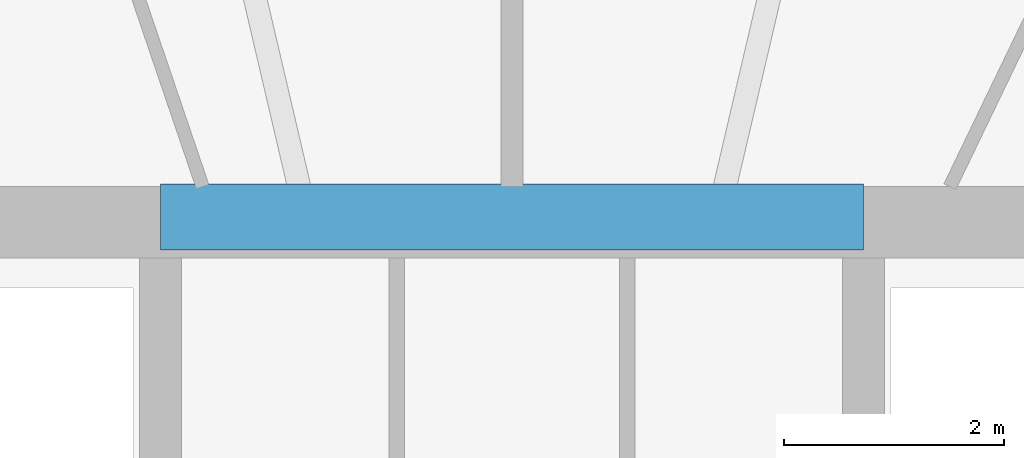
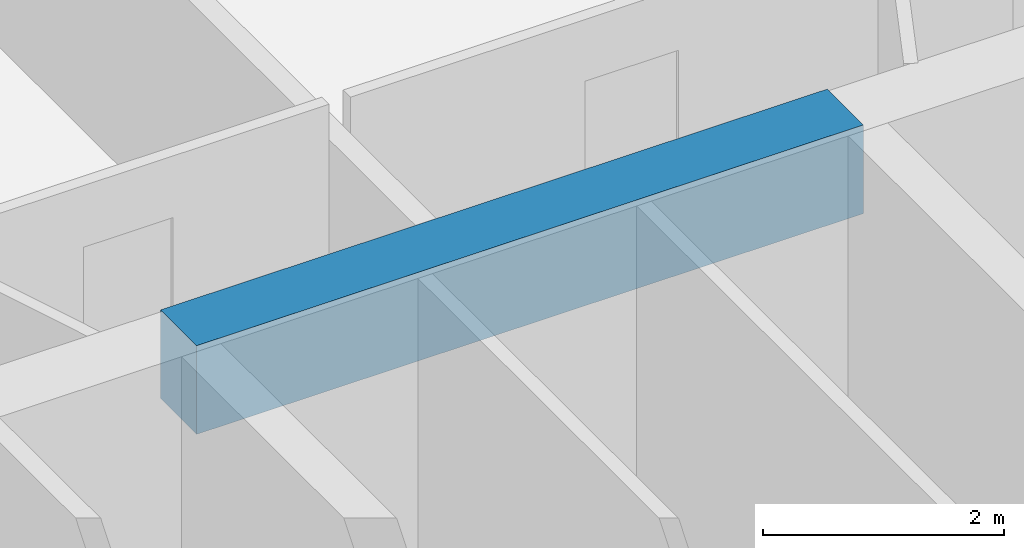
# One storey, part 8 of 27: 1 beam.
"""IFC4 building model written with IfcOpenShell, lengths in metres."""

from ifc_helpers import new_model, si_unit, direction, frame, origin, origin_2d, place, context, subcontext, project, spatial, rectangle, extrude, material, material_profile, profile_set, type_object, element, save


model = new_model("IFC4")

# Units and contexts
model_context = context("Model", 3, precision=1e-05, world=origin(), true_north=direction((-0.2419218956, 0.970295726276)))
body_context = subcontext(model_context, "Body", "Model", "MODEL_VIEW")
ifc_project = project(units=[si_unit("LENGTHUNIT", "METRE"), si_unit("AREAUNIT", "SQUARE_METRE"), si_unit("VOLUMEUNIT", "CUBIC_METRE"), si_unit("PLANEANGLEUNIT", "RADIAN"), si_unit("MASSUNIT", "GRAM", prefix="KILO")], contexts=[model_context])

# Site, building, storey
site_placement = place(None, origin())
site = spatial("IfcSite", under=ifc_project, at=site_placement, CompositionType="ELEMENT")
building_placement = place(site_placement, origin())
building = spatial("IfcBuilding", under=site, at=building_placement, Name="Cobrevalo Terracotta Tower", CompositionType="ELEMENT")
storey_placement = place(building_placement, frame((0.0, 0.0, 149.800048828125)))
storey = spatial("IfcBuildingStorey", under=building, at=storey_placement, Name="L39", CompositionType="ELEMENT", Elevation=149.800048828125)

# Beam
ifc_material = material(Name="Concrete C60", Category="concrete")
ifc_material_profile = material_profile(ifc_material, rectangle(XDim=0.60009765625, YDim=0.89990234375, at=origin_2d()), Name="RC CB 600x900")
ifc_profile_set = profile_set([ifc_material_profile], Name="Concrete C60")
beam_type = type_object("IfcBeamType", Name="Structural Beam RC CB 600x900 (Concrete C60)", PredefinedType="BEAM", material=ifc_profile_set)
beam_placement = place(storey_placement, frame((34.800048828125, 34.800048828125, 2.8798828125), z_axis=(1.0, 0.0, 0.0), x_axis=(0.0, 1.0, 0.0)))
element("IfcBeam", 1, at=beam_placement, inside=storey, type_object=beam_type, Name="L39 core coupling beam 2", PredefinedType="BEAM", context=body_context, shape_type="SweptSolid", body=[
    extrude(rectangle(XDim=0.60009765625, YDim=0.89990234375, at=origin_2d()), origin(), (0.0, 0.0, 1.0), 6.39990234375),
])

save(model, "model.ifc")
